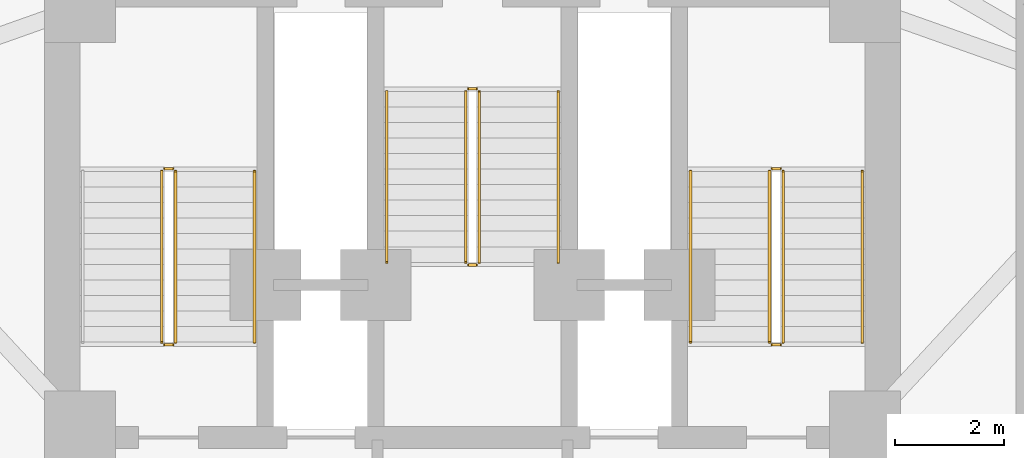
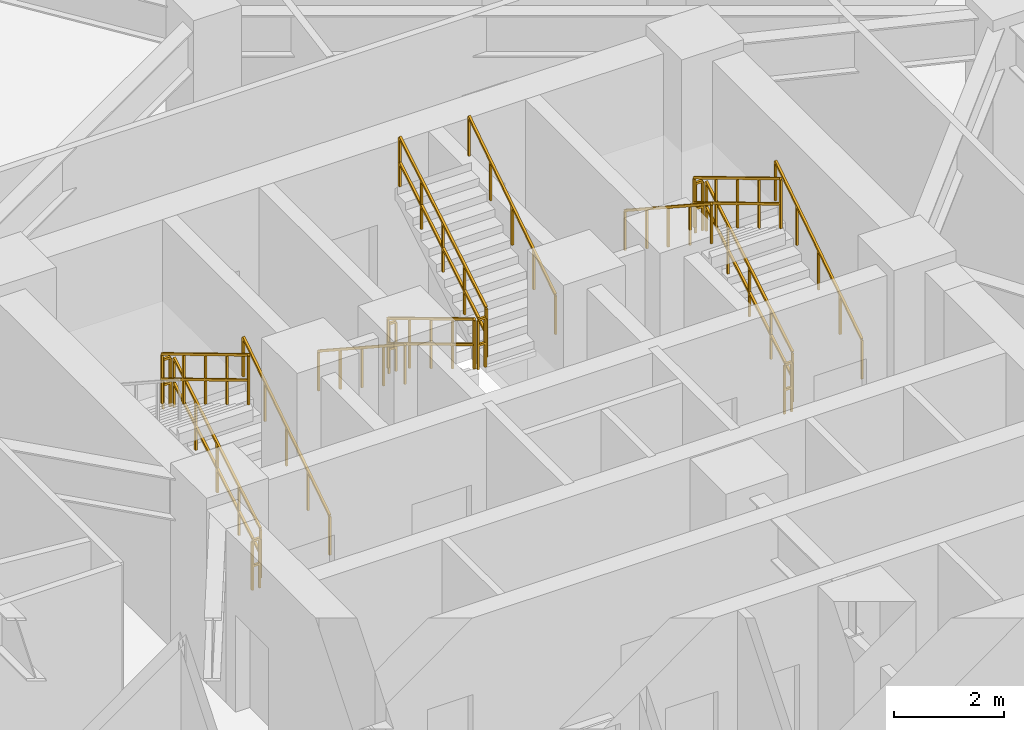
# One storey, part 11 of 12: 17 railings.
"""IFC4 building model written with IfcOpenShell, lengths in metres."""

import ifcopenshell
import ifcopenshell.guid

model = None  # the IFC model being written
_history = None  # IfcOwnerHistory: only IFC2X3 demands one
_inside = {}  # id of a spatial element -> (the spatial element, [elements in it])
_under = {}  # id of a project, library or spatial element -> (it, [spatial elements below it])
_declared = {}  # id of a project -> (the project, [libraries it declares])
_typed = {}  # id of a type object -> (the type object, [elements of that type])
_made_of = {}  # id of a material, layer set ... -> (it, [elements and type objects made of it])


def new_model(schema):
    """Start an empty IFC model of exactly this schema.

    Asked for "IFC4X3", IfcOpenShell would pick the latest addendum, in which some entities
    have other attributes; the version numbers below select the first issue.
    IFC2X3 requires an IfcOwnerHistory on every rooted entity: one is made here for all.
    """
    global model, _history
    if schema == "IFC4X3":
        model = ifcopenshell.file(schema_version=(4, 3, 0, 0))
    else:
        model = ifcopenshell.file(schema=schema)
    _inside.clear()
    _under.clear()
    _declared.clear()
    _typed.clear()
    _made_of.clear()
    _history = None
    if model.schema == "IFC2X3":
        org = make("IfcOrganization", Name="unknown")
        user = make(
            "IfcPersonAndOrganization",
            ThePerson=make("IfcPerson", FamilyName="unknown"),
            TheOrganization=org,
        )
        app = make(
            "IfcApplication",
            ApplicationDeveloper=org,
            Version="unknown",
            ApplicationFullName="unknown",
            ApplicationIdentifier="unknown",
        )
        _history = make(
            "IfcOwnerHistory",
            OwningUser=user,
            OwningApplication=app,
            ChangeAction="ADDED",
            CreationDate=0,
        )
    return model


def make(cls, **values):
    """One entity of the class cls with the attributes given. An attribute that is None is left unset."""
    return model.create_entity(
        cls, **{name: value for name, value in values.items() if value is not None}
    )


def rooted(cls, **values):
    """An entity with a GlobalId (a new one), such as an element, a storey or a relation."""
    return make(cls, GlobalId=ifcopenshell.guid.new(), OwnerHistory=_history, **values)


def si_unit(unit_type, name, prefix=None):
    """IfcSIUnit, for example si_unit("LENGTHUNIT", "METRE", prefix="MILLI")."""
    return make("IfcSIUnit", UnitType=unit_type, Prefix=prefix, Name=name)


def assignment(units):
    """IfcUnitAssignment: the units of a project."""
    return None if units is None else make("IfcUnitAssignment", Units=units)


def point(xyz):
    """IfcCartesianPoint."""
    return None if xyz is None else make("IfcCartesianPoint", Coordinates=xyz)


def direction(xyz):
    """IfcDirection."""
    return None if xyz is None else make("IfcDirection", DirectionRatios=xyz)


def frame(location, z_axis=None, x_axis=None):
    """IfcAxis2Placement3D, a coordinate frame: its origin and axes. An axis left out is left unset."""
    return make(
        "IfcAxis2Placement3D",
        Location=point(location),
        Axis=direction(z_axis),
        RefDirection=direction(x_axis),
    )


def frame_2d(location, x_axis=None):
    """IfcAxis2Placement2D, a coordinate frame in the plane: its origin and x axis."""
    return make(
        "IfcAxis2Placement2D", Location=point(location), RefDirection=direction(x_axis)
    )


def origin():
    """The frame at (0, 0, 0) with its axes left unset."""
    return frame((0.0, 0.0, 0.0))


def origin_2d():
    """The frame at (0, 0) in the plane with its x axis left unset."""
    return frame_2d((0.0, 0.0))


def place(relative_to, where):
    """IfcLocalPlacement: puts the frame where relative to a parent placement (None: the world)."""
    return make(
        "IfcLocalPlacement", PlacementRelTo=relative_to, RelativePlacement=where
    )


def context(
    kind, dimensions, precision=None, world=None, true_north=None, identifier=None
):
    """IfcGeometricRepresentationContext, for example the 3D "Model" context."""
    return make(
        "IfcGeometricRepresentationContext",
        ContextIdentifier=identifier,
        ContextType=kind,
        CoordinateSpaceDimension=dimensions,
        Precision=precision,
        WorldCoordinateSystem=world,
        TrueNorth=true_north,
    )


def subcontext(parent, identifier, kind, view, scale=None):
    """IfcGeometricRepresentationSubContext, for example "Body" below "Model"."""
    return make(
        "IfcGeometricRepresentationSubContext",
        ContextIdentifier=identifier,
        ContextType=kind,
        ParentContext=parent,
        TargetScale=scale,
        TargetView=view,
    )


def project(units=None, contexts=None):
    """IfcProject with its units and contexts."""
    return rooted(
        "IfcProject",
        Name="project",
        RepresentationContexts=contexts,
        UnitsInContext=assignment(units),
    )


def spatial(cls, under=None, at=None, **own):
    """A site, building, storey or space (cls), placed at a placement, below another one or the project."""
    s = rooted(cls, ObjectPlacement=at, **own)
    if under is not None:
        _under.setdefault(under.id(), (under, []))[1].append(s)
    return s


def profile(cls, at=None, kind="AREA", **sizes):
    """A parametric profile (cls). Its sizes go by their IFC names, for example OverallWidth=200.0."""
    return make(cls, ProfileType=kind, Position=at, **sizes)


def rectangle(**sizes):
    """IfcRectangleProfileDef."""
    return profile("IfcRectangleProfileDef", **sizes)


def extrude(swept, where, along, depth):
    """IfcExtrudedAreaSolid: the profile swept, set in the frame where, extruded along a direction by depth."""
    return make(
        "IfcExtrudedAreaSolid",
        SweptArea=swept,
        Position=where,
        ExtrudedDirection=direction(along),
        Depth=depth,
    )


def shape(context_of_items, identifier, shape_type, items):
    """IfcShapeRepresentation: the items that make up one representation, for example the "Body"."""
    return make(
        "IfcShapeRepresentation",
        ContextOfItems=context_of_items,
        RepresentationIdentifier=identifier,
        RepresentationType=shape_type,
        Items=items,
    )


def material(Name=None, Category=None):
    """IfcMaterial."""
    return make("IfcMaterial", Name=Name, Category=Category)


def made_of(thing, what):
    """Note that an element or type object is made of a material, layer set ...; save() writes the relation."""
    if what is not None:
        _made_of.setdefault(what.id(), (what, []))[1].append(thing)
    return thing


def type_object(cls, material=None, **own):
    """A type object (cls), such as IfcWallType, which elements share."""
    return made_of(rooted(cls, **own), material)


def element(
    cls,
    number,
    at=None,
    inside=None,
    cuts=None,
    type_object=None,
    material=None,
    context=None,
    identifier="Body",
    shape_type=None,
    held_by="IfcProductDefinitionShape",
    body=None,
    shapes=None,
    **own,
):
    """One element of the class cls, such as IfcWall. Its Tag is "e" and its number.

    at: its placement. inside: the storey or other place that contains it. cuts: it is an
    opening in that element (IfcRelVoidsElement). A single representation is given by context,
    identifier, shape_type and body (its items); several are given by shapes. held_by: the class
    of the entity that holds the representations. save() writes the other relations.
    """
    e = rooted(cls, Tag="e%d" % number, ObjectPlacement=at, **own)
    if body is not None:
        shapes = [shape(context, identifier, shape_type, body)]
    if shapes is not None:
        e.Representation = make(held_by, Representations=shapes)
    if inside is not None:
        _inside.setdefault(inside.id(), (inside, []))[1].append(e)
    if cuts is not None:
        rooted(
            "IfcRelVoidsElement", RelatingBuildingElement=cuts, RelatedOpeningElement=e
        )
    if type_object is not None:
        _typed.setdefault(type_object.id(), (type_object, []))[1].append(e)
    return made_of(e, material)


def aggregate(whole, parts):
    """IfcRelAggregates: a whole, such as a stair, and the parts it consists of."""
    return rooted("IfcRelAggregates", RelatingObject=whole, RelatedObjects=parts)


def save(model, path):
    """Write the relations noted so far, then the file.

    IfcRelAggregates (storeys below a building ...), IfcRelContainedInSpatialStructure (elements
    in a storey), IfcRelDefinesByType, IfcRelAssociatesMaterial and IfcRelDeclares: one each for
    every whole, place, type object, material and project.
    """
    for whole, parts in _under.values():
        aggregate(whole, parts)
    for where, things in _inside.values():
        rooted(
            "IfcRelContainedInSpatialStructure",
            RelatedElements=things,
            RelatingStructure=where,
        )
    for kind, things in _typed.values():
        rooted("IfcRelDefinesByType", RelatedObjects=things, RelatingType=kind)
    for what, things in _made_of.values():
        rooted("IfcRelAssociatesMaterial", RelatedObjects=things, RelatingMaterial=what)
    for by, libraries in _declared.values():
        rooted("IfcRelDeclares", RelatingContext=by, RelatedDefinitions=libraries)
    model.write(path)


model = new_model("IFC4")

# Units and contexts
model_context = context("Model", 3, precision=1e-05, world=origin(), true_north=direction((0.0, 1.0)))
body_context = subcontext(model_context, "Body", "Model", "MODEL_VIEW")
ifc_project = project(units=[si_unit("LENGTHUNIT", "METRE"), si_unit("AREAUNIT", "SQUARE_METRE"), si_unit("VOLUMEUNIT", "CUBIC_METRE"), si_unit("PLANEANGLEUNIT", "RADIAN"), si_unit("MASSUNIT", "GRAM", prefix="KILO")], contexts=[model_context])

# Site, building, storey
site_placement = place(None, origin())
site = spatial("IfcSite", under=ifc_project, at=site_placement, CompositionType="ELEMENT")
building_placement = place(site_placement, origin())
building = spatial("IfcBuilding", under=site, at=building_placement, Name="Apsidion Concourse Tower", CompositionType="ELEMENT")
storey_placement = place(building_placement, frame((0.0, 0.0, 173.699951171875)))
storey = spatial("IfcBuildingStorey", under=building, at=storey_placement, Name="L40", CompositionType="ELEMENT", Elevation=173.699951171875)

# Railings
ifc_material = material(Name="Brushed stainless steel 316", Category="steel")
railing_type_1 = type_object("IfcRailingType", Name="RL-GUARD-1100", PredefinedType="GUARDRAIL", material=ifc_material)
railing_1_placement = place(storey_placement, frame((-5.449951171875, 3.0, 0.1708984375)))
element("IfcRailing", 1, at=railing_1_placement, inside=storey, type_object=railing_type_1, Name="L40 ST1 stair guard 1", PredefinedType="GUARDRAIL", context=body_context, shape_type="SweptSolid", body=[
    extrude(rectangle(XDim=0.048095703125, YDim=0.048095703125, at=origin_2d()), frame((0.0, 0.0, 1.09619140625), z_axis=(0.0, 0.857716804754, 0.514122439544), x_axis=(-1.0, 0.0, 0.0)), (0.0, 0.0, 1.0), 3.655029296875),
    extrude(rectangle(XDim=0.048095703125, YDim=0.048095703125, at=origin_2d()), frame((0.0, 0.0, 0.5361328125), z_axis=(0.0, 0.857716804754, 0.514122439544), x_axis=(-1.0, 0.0, 0.0)), (0.0, 0.0, 1.0), 3.655029296875),
    extrude(rectangle(XDim=0.0419921875, YDim=0.0419921875, at=origin_2d()), origin(), (0.0, 0.0, 1.0), 1.072021484375),
    extrude(rectangle(XDim=0.0419921875, YDim=0.0419921875, at=origin_2d()), frame((0.0, 0.78369140625, 0.4697265625)), (0.0, 0.0, 1.0), 1.072021484375),
    extrude(rectangle(XDim=0.0419921875, YDim=0.0419921875, at=origin_2d()), frame((0.0, 1.5673828125, 0.939453125)), (0.0, 0.0, 1.0), 1.072021484375),
    extrude(rectangle(XDim=0.0419921875, YDim=0.0419921875, at=origin_2d()), frame((0.0, 2.351318359375, 1.409423828125)), (0.0, 0.0, 1.0), 1.072021484375),
    extrude(rectangle(XDim=0.0419921875, YDim=0.0419921875, at=origin_2d()), frame((0.0, 3.135009765625, 1.879150390625)), (0.0, 0.0, 1.0), 1.072021484375),
])
railing_2_placement = place(storey_placement, frame((-5.5, 6.18505859375, 2.050048828125)))
element("IfcRailing", 2, at=railing_2_placement, inside=storey, type_object=railing_type_1, Name="L40 ST1 stair guard 2", PredefinedType="GUARDRAIL", context=body_context, shape_type="SweptSolid", body=[
    extrude(rectangle(XDim=0.048095703125, YDim=0.048095703125, at=origin_2d()), frame((0.0, 0.0, 1.09619140625), z_axis=(-1.0, 0.0, 0.0), x_axis=(0.0, -1.0, 0.0)), (0.0, 0.0, 1.0), 0.14990234375),
    extrude(rectangle(XDim=0.048095703125, YDim=0.048095703125, at=origin_2d()), frame((0.0, 0.0, 0.5361328125), z_axis=(-1.0, 0.0, 0.0), x_axis=(0.0, -1.0, 0.0)), (0.0, 0.0, 1.0), 0.14990234375),
    extrude(rectangle(XDim=0.0419921875, YDim=0.0419921875, at=origin_2d()), origin(), (0.0, 0.0, 1.0), 1.072021484375),
    extrude(rectangle(XDim=0.0419921875, YDim=0.0419921875, at=origin_2d()), frame((-0.14990234375, 0.0, 0.0)), (0.0, 0.0, 1.0), 1.072021484375),
])
railing_3_placement = place(storey_placement, frame((-5.699951171875, 6.135009765625, 2.220947265625)))
element("IfcRailing", 3, at=railing_3_placement, inside=storey, type_object=railing_type_1, Name="L40 ST1 stair guard 3", PredefinedType="GUARDRAIL", context=body_context, shape_type="SweptSolid", body=[
    extrude(rectangle(XDim=0.048095703125, YDim=0.048095703125, at=origin_2d()), frame((0.0, 0.0, 1.09619140625), z_axis=(0.0, -0.857716804754, 0.514122439544), x_axis=(1.0, 0.0, 0.0)), (0.0, 0.0, 1.0), 3.655029296875),
    extrude(rectangle(XDim=0.048095703125, YDim=0.048095703125, at=origin_2d()), frame((0.0, 0.0, 0.5361328125), z_axis=(0.0, -0.857716804754, 0.514122439544), x_axis=(1.0, 0.0, 0.0)), (0.0, 0.0, 1.0), 3.655029296875),
    extrude(rectangle(XDim=0.0419921875, YDim=0.0419921875, at=origin_2d()), origin(), (0.0, 0.0, 1.0), 1.072021484375),
    extrude(rectangle(XDim=0.0419921875, YDim=0.0419921875, at=origin_2d()), frame((0.0, -0.78369140625, 0.4697265625)), (0.0, 0.0, 1.0), 1.072021484375),
    extrude(rectangle(XDim=0.0419921875, YDim=0.0419921875, at=origin_2d()), frame((0.0, -1.5673828125, 0.939453125)), (0.0, 0.0, 1.0), 1.072021484375),
    extrude(rectangle(XDim=0.0419921875, YDim=0.0419921875, at=origin_2d()), frame((0.0, -2.351318359375, 1.409423828125)), (0.0, 0.0, 1.0), 1.072021484375),
    extrude(rectangle(XDim=0.0419921875, YDim=0.0419921875, at=origin_2d()), frame((0.0, -3.135009765625, 1.879150390625)), (0.0, 0.0, 1.0), 1.072021484375),
])
railing_4_placement = place(storey_placement, frame((-5.5, 2.949951171875, 0.0)))
element("IfcRailing", 4, at=railing_4_placement, inside=storey, type_object=railing_type_1, Name="L40 ST1 stair guard 4", PredefinedType="GUARDRAIL", context=body_context, shape_type="SweptSolid", body=[
    extrude(rectangle(XDim=0.048095703125, YDim=0.048095703125, at=origin_2d()), frame((0.0, 0.0, 1.09619140625), z_axis=(-1.0, 0.0, 0.0), x_axis=(0.0, -1.0, 0.0)), (0.0, 0.0, 1.0), 0.14990234375),
    extrude(rectangle(XDim=0.048095703125, YDim=0.048095703125, at=origin_2d()), frame((0.0, 0.0, 0.5361328125), z_axis=(-1.0, 0.0, 0.0), x_axis=(0.0, -1.0, 0.0)), (0.0, 0.0, 1.0), 0.14990234375),
    extrude(rectangle(XDim=0.0419921875, YDim=0.0419921875, at=origin_2d()), origin(), (0.0, 0.0, 1.0), 1.072021484375),
    extrude(rectangle(XDim=0.0419921875, YDim=0.0419921875, at=origin_2d()), frame((-0.14990234375, 0.0, 0.0)), (0.0, 0.0, 1.0), 1.072021484375),
])
railing_5_placement = place(storey_placement, frame((5.699951171875, 3.0, 0.1708984375)))
element("IfcRailing", 5, at=railing_5_placement, inside=storey, type_object=railing_type_1, Name="L40 ST2 stair guard 1", PredefinedType="GUARDRAIL", context=body_context, shape_type="SweptSolid", body=[
    extrude(rectangle(XDim=0.048095703125, YDim=0.048095703125, at=origin_2d()), frame((0.0, 0.0, 1.09619140625), z_axis=(0.0, 0.857716804754, 0.514122439544), x_axis=(-1.0, 0.0, 0.0)), (0.0, 0.0, 1.0), 3.655029296875),
    extrude(rectangle(XDim=0.048095703125, YDim=0.048095703125, at=origin_2d()), frame((0.0, 0.0, 0.5361328125), z_axis=(0.0, 0.857716804754, 0.514122439544), x_axis=(-1.0, 0.0, 0.0)), (0.0, 0.0, 1.0), 3.655029296875),
    extrude(rectangle(XDim=0.0419921875, YDim=0.0419921875, at=origin_2d()), origin(), (0.0, 0.0, 1.0), 1.072021484375),
    extrude(rectangle(XDim=0.0419921875, YDim=0.0419921875, at=origin_2d()), frame((0.0, 0.78369140625, 0.4697265625)), (0.0, 0.0, 1.0), 1.072021484375),
    extrude(rectangle(XDim=0.0419921875, YDim=0.0419921875, at=origin_2d()), frame((0.0, 1.5673828125, 0.939453125)), (0.0, 0.0, 1.0), 1.072021484375),
    extrude(rectangle(XDim=0.0419921875, YDim=0.0419921875, at=origin_2d()), frame((0.0, 2.351318359375, 1.409423828125)), (0.0, 0.0, 1.0), 1.072021484375),
    extrude(rectangle(XDim=0.0419921875, YDim=0.0419921875, at=origin_2d()), frame((0.0, 3.135009765625, 1.879150390625)), (0.0, 0.0, 1.0), 1.072021484375),
])
railing_6_placement = place(storey_placement, frame((5.64990234375, 6.18505859375, 2.050048828125)))
element("IfcRailing", 6, at=railing_6_placement, inside=storey, type_object=railing_type_1, Name="L40 ST2 stair guard 2", PredefinedType="GUARDRAIL", context=body_context, shape_type="SweptSolid", body=[
    extrude(rectangle(XDim=0.048095703125, YDim=0.048095703125, at=origin_2d()), frame((0.0, 0.0, 1.09619140625), z_axis=(-1.0, 0.0, 0.0), x_axis=(0.0, -1.0, 0.0)), (0.0, 0.0, 1.0), 0.14990234375),
    extrude(rectangle(XDim=0.048095703125, YDim=0.048095703125, at=origin_2d()), frame((0.0, 0.0, 0.5361328125), z_axis=(-1.0, 0.0, 0.0), x_axis=(0.0, -1.0, 0.0)), (0.0, 0.0, 1.0), 0.14990234375),
    extrude(rectangle(XDim=0.0419921875, YDim=0.0419921875, at=origin_2d()), origin(), (0.0, 0.0, 1.0), 1.072021484375),
    extrude(rectangle(XDim=0.0419921875, YDim=0.0419921875, at=origin_2d()), frame((-0.14990234375, 0.0, 0.0)), (0.0, 0.0, 1.0), 1.072021484375),
])
railing_7_placement = place(storey_placement, frame((5.449951171875, 6.135009765625, 2.220947265625)))
element("IfcRailing", 7, at=railing_7_placement, inside=storey, type_object=railing_type_1, Name="L40 ST2 stair guard 3", PredefinedType="GUARDRAIL", context=body_context, shape_type="SweptSolid", body=[
    extrude(rectangle(XDim=0.048095703125, YDim=0.048095703125, at=origin_2d()), frame((0.0, 0.0, 1.09619140625), z_axis=(0.0, -0.857716804754, 0.514122439544), x_axis=(1.0, 0.0, 0.0)), (0.0, 0.0, 1.0), 3.655029296875),
    extrude(rectangle(XDim=0.048095703125, YDim=0.048095703125, at=origin_2d()), frame((0.0, 0.0, 0.5361328125), z_axis=(0.0, -0.857716804754, 0.514122439544), x_axis=(1.0, 0.0, 0.0)), (0.0, 0.0, 1.0), 3.655029296875),
    extrude(rectangle(XDim=0.0419921875, YDim=0.0419921875, at=origin_2d()), origin(), (0.0, 0.0, 1.0), 1.072021484375),
    extrude(rectangle(XDim=0.0419921875, YDim=0.0419921875, at=origin_2d()), frame((0.0, -0.78369140625, 0.4697265625)), (0.0, 0.0, 1.0), 1.072021484375),
    extrude(rectangle(XDim=0.0419921875, YDim=0.0419921875, at=origin_2d()), frame((0.0, -1.5673828125, 0.939453125)), (0.0, 0.0, 1.0), 1.072021484375),
    extrude(rectangle(XDim=0.0419921875, YDim=0.0419921875, at=origin_2d()), frame((0.0, -2.351318359375, 1.409423828125)), (0.0, 0.0, 1.0), 1.072021484375),
    extrude(rectangle(XDim=0.0419921875, YDim=0.0419921875, at=origin_2d()), frame((0.0, -3.135009765625, 1.879150390625)), (0.0, 0.0, 1.0), 1.072021484375),
])
railing_8_placement = place(storey_placement, frame((5.64990234375, 2.949951171875, 0.0)))
element("IfcRailing", 8, at=railing_8_placement, inside=storey, type_object=railing_type_1, Name="L40 ST2 stair guard 4", PredefinedType="GUARDRAIL", context=body_context, shape_type="SweptSolid", body=[
    extrude(rectangle(XDim=0.048095703125, YDim=0.048095703125, at=origin_2d()), frame((0.0, 0.0, 1.09619140625), z_axis=(-1.0, 0.0, 0.0), x_axis=(0.0, -1.0, 0.0)), (0.0, 0.0, 1.0), 0.14990234375),
    extrude(rectangle(XDim=0.048095703125, YDim=0.048095703125, at=origin_2d()), frame((0.0, 0.0, 0.5361328125), z_axis=(-1.0, 0.0, 0.0), x_axis=(0.0, -1.0, 0.0)), (0.0, 0.0, 1.0), 0.14990234375),
    extrude(rectangle(XDim=0.0419921875, YDim=0.0419921875, at=origin_2d()), origin(), (0.0, 0.0, 1.0), 1.072021484375),
    extrude(rectangle(XDim=0.0419921875, YDim=0.0419921875, at=origin_2d()), frame((-0.14990234375, 0.0, 0.0)), (0.0, 0.0, 1.0), 1.072021484375),
])
railing_9_placement = place(storey_placement, frame((-0.125, 7.60009765625, 0.1708984375)))
element("IfcRailing", 9, at=railing_9_placement, inside=storey, type_object=railing_type_1, Name="L40 ST3 stair guard 1", PredefinedType="GUARDRAIL", context=body_context, shape_type="SweptSolid", body=[
    extrude(rectangle(XDim=0.048095703125, YDim=0.048095703125, at=origin_2d()), frame((0.0, 0.0, 1.09619140625), z_axis=(0.0, -0.857716804754, 0.514122439544), x_axis=(1.0, 0.0, 0.0)), (0.0, 0.0, 1.0), 3.655029296875),
    extrude(rectangle(XDim=0.048095703125, YDim=0.048095703125, at=origin_2d()), frame((0.0, 0.0, 0.5361328125), z_axis=(0.0, -0.857716804754, 0.514122439544), x_axis=(1.0, 0.0, 0.0)), (0.0, 0.0, 1.0), 3.655029296875),
    extrude(rectangle(XDim=0.0419921875, YDim=0.0419921875, at=origin_2d()), origin(), (0.0, 0.0, 1.0), 1.072021484375),
    extrude(rectangle(XDim=0.0419921875, YDim=0.0419921875, at=origin_2d()), frame((0.0, -0.78369140625, 0.4697265625)), (0.0, 0.0, 1.0), 1.072021484375),
    extrude(rectangle(XDim=0.0419921875, YDim=0.0419921875, at=origin_2d()), frame((0.0, -1.5673828125, 0.939453125)), (0.0, 0.0, 1.0), 1.072021484375),
    extrude(rectangle(XDim=0.0419921875, YDim=0.0419921875, at=origin_2d()), frame((0.0, -2.351318359375, 1.409423828125)), (0.0, 0.0, 1.0), 1.072021484375),
    extrude(rectangle(XDim=0.0419921875, YDim=0.0419921875, at=origin_2d()), frame((0.0, -3.135009765625, 1.879150390625)), (0.0, 0.0, 1.0), 1.072021484375),
])
railing_10_placement = place(storey_placement, frame((-0.074951171875, 4.4150390625, 2.050048828125)))
element("IfcRailing", 10, at=railing_10_placement, inside=storey, type_object=railing_type_1, Name="L40 ST3 stair guard 2", PredefinedType="GUARDRAIL", context=body_context, shape_type="SweptSolid", body=[
    extrude(rectangle(XDim=0.048095703125, YDim=0.048095703125, at=origin_2d()), frame((0.0, 0.0, 1.09619140625), z_axis=(1.0, 0.0, 0.0), x_axis=(0.0, 1.0, 0.0)), (0.0, 0.0, 1.0), 0.14990234375),
    extrude(rectangle(XDim=0.048095703125, YDim=0.048095703125, at=origin_2d()), frame((0.0, 0.0, 0.5361328125), z_axis=(1.0, 0.0, 0.0), x_axis=(0.0, 1.0, 0.0)), (0.0, 0.0, 1.0), 0.14990234375),
    extrude(rectangle(XDim=0.0419921875, YDim=0.0419921875, at=origin_2d()), origin(), (0.0, 0.0, 1.0), 1.072021484375),
    extrude(rectangle(XDim=0.0419921875, YDim=0.0419921875, at=origin_2d()), frame((0.14990234375, 0.0, 0.0)), (0.0, 0.0, 1.0), 1.072021484375),
])
railing_11_placement = place(storey_placement, frame((0.125, 4.465087890625, 2.220947265625)))
element("IfcRailing", 11, at=railing_11_placement, inside=storey, type_object=railing_type_1, Name="L40 ST3 stair guard 3", PredefinedType="GUARDRAIL", context=body_context, shape_type="SweptSolid", body=[
    extrude(rectangle(XDim=0.048095703125, YDim=0.048095703125, at=origin_2d()), frame((0.0, 0.0, 1.09619140625), z_axis=(0.0, 0.857716804754, 0.514122439544), x_axis=(-1.0, 0.0, 0.0)), (0.0, 0.0, 1.0), 3.655029296875),
    extrude(rectangle(XDim=0.048095703125, YDim=0.048095703125, at=origin_2d()), frame((0.0, 0.0, 0.5361328125), z_axis=(0.0, 0.857716804754, 0.514122439544), x_axis=(-1.0, 0.0, 0.0)), (0.0, 0.0, 1.0), 3.655029296875),
    extrude(rectangle(XDim=0.0419921875, YDim=0.0419921875, at=origin_2d()), origin(), (0.0, 0.0, 1.0), 1.072021484375),
    extrude(rectangle(XDim=0.0419921875, YDim=0.0419921875, at=origin_2d()), frame((0.0, 0.78369140625, 0.4697265625)), (0.0, 0.0, 1.0), 1.072021484375),
    extrude(rectangle(XDim=0.0419921875, YDim=0.0419921875, at=origin_2d()), frame((0.0, 1.5673828125, 0.939453125)), (0.0, 0.0, 1.0), 1.072021484375),
    extrude(rectangle(XDim=0.0419921875, YDim=0.0419921875, at=origin_2d()), frame((0.0, 2.351318359375, 1.409423828125)), (0.0, 0.0, 1.0), 1.072021484375),
    extrude(rectangle(XDim=0.0419921875, YDim=0.0419921875, at=origin_2d()), frame((0.0, 3.135009765625, 1.879150390625)), (0.0, 0.0, 1.0), 1.072021484375),
])
railing_12_placement = place(storey_placement, frame((-0.074951171875, 7.64990234375, 0.0)))
element("IfcRailing", 12, at=railing_12_placement, inside=storey, type_object=railing_type_1, Name="L40 ST3 stair guard 4", PredefinedType="GUARDRAIL", context=body_context, shape_type="SweptSolid", body=[
    extrude(rectangle(XDim=0.048095703125, YDim=0.048095703125, at=origin_2d()), frame((0.0, 0.0, 1.09619140625), z_axis=(1.0, 0.0, 0.0), x_axis=(0.0, 1.0, 0.0)), (0.0, 0.0, 1.0), 0.14990234375),
    extrude(rectangle(XDim=0.048095703125, YDim=0.048095703125, at=origin_2d()), frame((0.0, 0.0, 0.5361328125), z_axis=(1.0, 0.0, 0.0), x_axis=(0.0, 1.0, 0.0)), (0.0, 0.0, 1.0), 0.14990234375),
    extrude(rectangle(XDim=0.0419921875, YDim=0.0419921875, at=origin_2d()), origin(), (0.0, 0.0, 1.0), 1.072021484375),
    extrude(rectangle(XDim=0.0419921875, YDim=0.0419921875, at=origin_2d()), frame((0.14990234375, 0.0, 0.0)), (0.0, 0.0, 1.0), 1.072021484375),
])
railing_type_2 = type_object("IfcRailingType", Name="RL-HAND-900", PredefinedType="HANDRAIL", material=ifc_material)
for number, where, name in (
    (13, (-4.0, 3.0, 0.1708984375), "L40 ST1 stair handrail 1"),
    (14, (7.14990234375, 3.0, 0.1708984375), "L40 ST2 stair handrail 1"),
):
    element("IfcRailing", number, at=place(storey_placement, frame(where)), inside=storey, type_object=railing_type_2, Name=name, PredefinedType="HANDRAIL", context=body_context, shape_type="SweptSolid", body=[
        extrude(rectangle(XDim=0.048095703125, YDim=0.048095703125, at=origin_2d()), frame((0.0, 0.0, 0.8759765625), z_axis=(0.0, 0.836940907821, 0.547293263996), x_axis=(-1.0, 0.0, 0.0)), (0.0, 0.0, 1.0), 3.745849609375),
        extrude(rectangle(XDim=0.0419921875, YDim=0.0419921875, at=origin_2d()), origin(), (0.0, 0.0, 1.0), 0.851806640625),
        extrude(rectangle(XDim=0.0419921875, YDim=0.0419921875, at=origin_2d()), frame((0.0, 0.78369140625, 0.512451171875)), (0.0, 0.0, 1.0), 0.851806640625),
        extrude(rectangle(XDim=0.0419921875, YDim=0.0419921875, at=origin_2d()), frame((0.0, 1.5673828125, 1.02490234375)), (0.0, 0.0, 1.0), 0.851806640625),
        extrude(rectangle(XDim=0.0419921875, YDim=0.0419921875, at=origin_2d()), frame((0.0, 2.351318359375, 1.53759765625)), (0.0, 0.0, 1.0), 0.851806640625),
        extrude(rectangle(XDim=0.0419921875, YDim=0.0419921875, at=origin_2d()), frame((0.0, 3.135009765625, 2.050048828125)), (0.0, 0.0, 1.0), 0.851806640625),
    ])
for number, where, name in (
    (15, (4.0, 6.135009765625, 2.220947265625), "L40 ST2 stair handrail 2"),
    (16, (-1.574951171875, 7.60009765625, 0.1708984375), "L40 ST3 stair handrail 1"),
):
    element("IfcRailing", number, at=place(storey_placement, frame(where)), inside=storey, type_object=railing_type_2, Name=name, PredefinedType="HANDRAIL", context=body_context, shape_type="SweptSolid", body=[
        extrude(rectangle(XDim=0.048095703125, YDim=0.048095703125, at=origin_2d()), frame((0.0, 0.0, 0.8759765625), z_axis=(0.0, -0.836940907821, 0.547293263996), x_axis=(1.0, 0.0, 0.0)), (0.0, 0.0, 1.0), 3.745849609375),
        extrude(rectangle(XDim=0.0419921875, YDim=0.0419921875, at=origin_2d()), origin(), (0.0, 0.0, 1.0), 0.851806640625),
        extrude(rectangle(XDim=0.0419921875, YDim=0.0419921875, at=origin_2d()), frame((0.0, -0.78369140625, 0.512451171875)), (0.0, 0.0, 1.0), 0.851806640625),
        extrude(rectangle(XDim=0.0419921875, YDim=0.0419921875, at=origin_2d()), frame((0.0, -1.5673828125, 1.02490234375)), (0.0, 0.0, 1.0), 0.851806640625),
        extrude(rectangle(XDim=0.0419921875, YDim=0.0419921875, at=origin_2d()), frame((0.0, -2.351318359375, 1.53759765625)), (0.0, 0.0, 1.0), 0.851806640625),
        extrude(rectangle(XDim=0.0419921875, YDim=0.0419921875, at=origin_2d()), frame((0.0, -3.135009765625, 2.050048828125)), (0.0, 0.0, 1.0), 0.851806640625),
    ])
railing_13_placement = place(storey_placement, frame((1.574951171875, 4.465087890625, 2.220947265625)))
element("IfcRailing", 17, at=railing_13_placement, inside=storey, type_object=railing_type_2, Name="L40 ST3 stair handrail 2", PredefinedType="HANDRAIL", context=body_context, shape_type="SweptSolid", body=[
    extrude(rectangle(XDim=0.048095703125, YDim=0.048095703125, at=origin_2d()), frame((0.0, 0.0, 0.8759765625), z_axis=(0.0, 0.836940907821, 0.547293263996), x_axis=(-1.0, 0.0, 0.0)), (0.0, 0.0, 1.0), 3.745849609375),
    extrude(rectangle(XDim=0.0419921875, YDim=0.0419921875, at=origin_2d()), origin(), (0.0, 0.0, 1.0), 0.851806640625),
    extrude(rectangle(XDim=0.0419921875, YDim=0.0419921875, at=origin_2d()), frame((0.0, 0.78369140625, 0.512451171875)), (0.0, 0.0, 1.0), 0.851806640625),
    extrude(rectangle(XDim=0.0419921875, YDim=0.0419921875, at=origin_2d()), frame((0.0, 1.5673828125, 1.02490234375)), (0.0, 0.0, 1.0), 0.851806640625),
    extrude(rectangle(XDim=0.0419921875, YDim=0.0419921875, at=origin_2d()), frame((0.0, 2.351318359375, 1.53759765625)), (0.0, 0.0, 1.0), 0.851806640625),
    extrude(rectangle(XDim=0.0419921875, YDim=0.0419921875, at=origin_2d()), frame((0.0, 3.135009765625, 2.050048828125)), (0.0, 0.0, 1.0), 0.851806640625),
])

save(model, "model.ifc")
